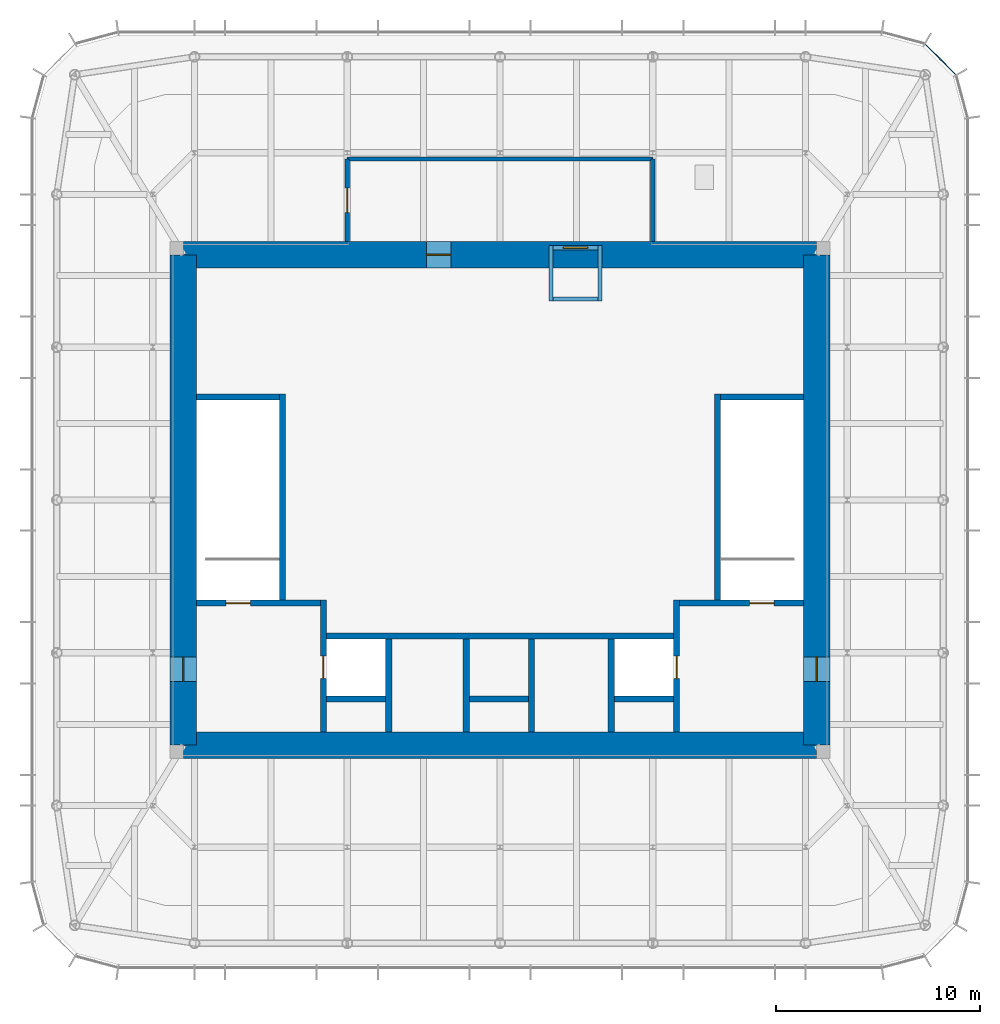
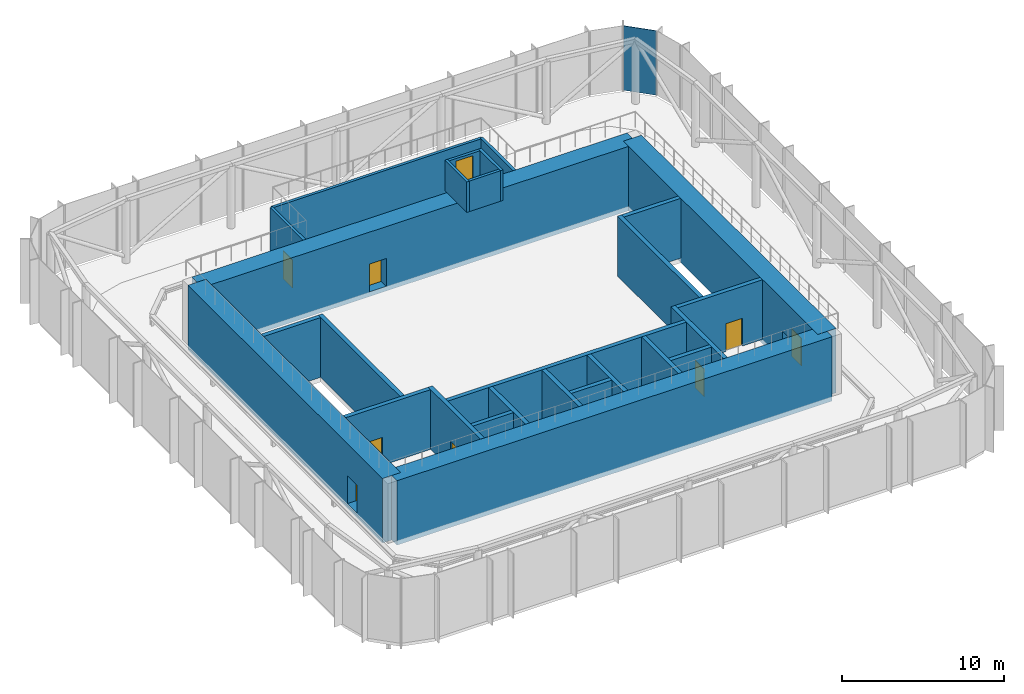
# One storey, part 11 of 12: 27 walls, 9 doors, 1 plate, 9 openings, 1 element without a shape of its own.
"""IFC4 building model written with IfcOpenShell, lengths in metres."""

from ifc_helpers import new_model, si_unit, direction, frame, frame_2d, origin, origin_2d, place, context, subcontext, project, spatial, rectangle, extrude, material, layer, layer_set, type_object, element, fill, aggregate, save


model = new_model("IFC4")

# Units and contexts
model_context = context("Model", 3, precision=1e-05, world=origin(), true_north=direction((0.0, 1.0)))
body_context = subcontext(model_context, "Body", "Model", "MODEL_VIEW")
ifc_project = project(units=[si_unit("LENGTHUNIT", "METRE"), si_unit("AREAUNIT", "SQUARE_METRE"), si_unit("VOLUMEUNIT", "CUBIC_METRE"), si_unit("PLANEANGLEUNIT", "RADIAN"), si_unit("MASSUNIT", "GRAM", prefix="KILO")], contexts=[model_context])

# Site, building, storey
site_placement = place(None, origin())
site = spatial("IfcSite", under=ifc_project, at=site_placement, CompositionType="ELEMENT")
building_placement = place(site_placement, origin())
building = spatial("IfcBuilding", under=site, at=building_placement, Name="Khuree Lantern Residences", CompositionType="ELEMENT")
storey_placement = place(building_placement, frame((0.0, 0.0, 363.25)))
storey = spatial("IfcBuildingStorey", under=building, at=storey_placement, Name="RF", CompositionType="ELEMENT", Elevation=363.25)

# Curtain wall, plate
ifc_material_1 = material(Name="Bronze anodised aluminium", Category="aluminium")
curtain_wall_type = type_object("IfcCurtainWallType", Name="CW-L LANTERN CROWN CURTAIN WALL", PredefinedType="USERDEFINED", material=ifc_material_1)
curtain_wall_placement = place(storey_placement, origin())
curtain_wall = element("IfcCurtainWall", 1, at=curtain_wall_placement, inside=storey, type_object=curtain_wall_type, Name="RF NORTH-EAST CORNER CURTAIN WALL", ObjectType="Lantern curtain wall", PredefinedType="USERDEFINED")
ifc_material_2 = material(Name="Bronze fritted laminated glass over an insulated spandrel back pan", Category="glass")
ifc_layer_1 = layer(ifc_material_2, 0.0400390625)
ifc_layer_set_1 = layer_set([ifc_layer_1], Name="LANTERN SHADOW BOX PANEL P8")
plate_type = type_object("IfcPlateType", Name="LANTERN SHADOW BOX PANEL P8", PredefinedType="CURTAIN_PANEL", material=ifc_layer_set_1)
plate_placement = place(storey_placement, frame((21.568603515625, 21.568603515625, 0.0), z_axis=(0.0, 0.0, 1.0), x_axis=(-0.707106781187, 0.707106781187, 0.0)))
plate = element("IfcPlate", 2, at=plate_placement, type_object=plate_type, Name="RF NORTH-EAST CORNER PANEL 16.1", PredefinedType="CURTAIN_PANEL", context=body_context, shape_type="SweptSolid", body=[
    extrude(rectangle(XDim=2.085693359375, YDim=0.0400390625, at=origin_2d()), origin(), (0.0, 0.0, 1.0), 4.85009765625),
])
aggregate(curtain_wall, [plate])

# Wall, opening, door
ifc_material_3 = material(Name="Dense concrete blockwork", Category="masonry")
ifc_layer_2 = layer(ifc_material_3, 0.300048828125)
ifc_layer_set_2 = layer_set([ifc_layer_2], Name="CORE PARTITION WALL CPW300 EI 120")
wall_type_1 = type_object("IfcWallType", Name="CORE PARTITION WALL CPW300 EI 120", PredefinedType="PARTITIONING", material=ifc_layer_set_2)
wall_1_placement = place(storey_placement, frame((-8.64990234375, -11.35009765625, 0.0), z_axis=(0.0, 0.0, 1.0), x_axis=(0.0, 1.0, 0.0)))
wall_1 = element("IfcWall", 3, at=wall_1_placement, inside=storey, type_object=wall_type_1, Name="RF CORE WALL FL1W", PredefinedType="PARTITIONING", context=body_context, shape_type="SweptSolid", body=[
    extrude(rectangle(XDim=6.4501953125, YDim=0.300048828125, at=frame_2d((3.22509765625, 0.0))), origin(), (0.0, 0.0, 1.0), 4.5),
])
opening_1_placement = place(wall_1_placement, frame((2.60009765625, 0.0, 0.0)))
opening_1 = element("IfcOpeningElement", 4, at=opening_1_placement, cuts=wall_1, Name="Opening RF-005", PredefinedType="OPENING", context=body_context, shape_type="SweptSolid", body=[
    extrude(rectangle(XDim=1.10009765625, YDim=2.10009765625, at=frame_2d((0.550048828125, 1.050048828125))), frame((0.0, 0.16015625, 0.0), z_axis=(0.0, -1.0, 0.0), x_axis=(1.0, 0.0, 0.0)), (0.0, 0.0, 1.0), 0.320068359375),
])
ifc_material_4 = material(Name="Stainless steel lift landing door", Category="steel")
door_type_1 = type_object("IfcDoorType", Name="LIFT LANDING DOOR 1100X2100 E 120", OperationType="DOUBLE_DOOR_SLIDING", PredefinedType="DOOR", material=ifc_material_4)
door_1_placement = place(opening_1_placement, origin())
door_1 = element("IfcDoor", 5, at=door_1_placement, inside=storey, type_object=door_type_1, Name="Landing door FL1 RF-005", OperationType="DOUBLE_DOOR_SLIDING", OverallHeight=2.10009765625, OverallWidth=1.10009765625, PredefinedType="DOOR", context=body_context, shape_type="SweptSolid", body=[
    extrude(rectangle(XDim=1.10009765625, YDim=2.10009765625, at=frame_2d((0.550048828125, 1.050048828125))), frame((0.0, 0.02490234375, 0.0), z_axis=(0.0, -1.0, 0.0), x_axis=(1.0, 0.0, 0.0)), (0.0, 0.0, 1.0), 0.050048828125),
])
fill(opening_1, door_1)

wall_2_placement = place(storey_placement, frame((8.64990234375, -11.35009765625, 0.0), z_axis=(0.0, 0.0, 1.0), x_axis=(0.0, 1.0, 0.0)))
wall_2 = element("IfcWall", 6, at=wall_2_placement, inside=storey, type_object=wall_type_1, Name="RF CORE WALL FL2E", PredefinedType="PARTITIONING", context=body_context, shape_type="SweptSolid", body=[
    extrude(rectangle(XDim=6.4501953125, YDim=0.300048828125, at=frame_2d((3.22509765625, 0.0))), origin(), (0.0, 0.0, 1.0), 4.5),
])
opening_2_placement = place(wall_2_placement, frame((2.60009765625, 0.0, 0.0)))
opening_2 = element("IfcOpeningElement", 7, at=opening_2_placement, cuts=wall_2, Name="Opening RF-006", PredefinedType="OPENING", context=body_context, shape_type="SweptSolid", body=[
    extrude(rectangle(XDim=1.10009765625, YDim=2.10009765625, at=frame_2d((0.550048828125, 1.050048828125))), frame((0.0, 0.16015625, 0.0), z_axis=(0.0, -1.0, 0.0), x_axis=(1.0, 0.0, 0.0)), (0.0, 0.0, 1.0), 0.320068359375),
])
door_2_placement = place(opening_2_placement, origin())
door_2 = element("IfcDoor", 8, at=door_2_placement, inside=storey, type_object=door_type_1, Name="Landing door FL2 RF-006", OperationType="DOUBLE_DOOR_SLIDING", OverallHeight=2.10009765625, OverallWidth=1.10009765625, PredefinedType="DOOR", context=body_context, shape_type="SweptSolid", body=[
    extrude(rectangle(XDim=1.10009765625, YDim=2.10009765625, at=frame_2d((0.550048828125, 1.050048828125))), frame((0.0, 0.02490234375, 0.0), z_axis=(0.0, -1.0, 0.0), x_axis=(1.0, 0.0, 0.0)), (0.0, 0.0, 1.0), 0.050048828125),
])
fill(opening_2, door_2)

# Walls
wall_3_placement = place(storey_placement, frame((-8.5, -6.64990234375, 0.0), z_axis=(0.0, 0.0, 1.0), x_axis=(1.0, 0.0, 0.0)))
element("IfcWall", 9, at=wall_3_placement, inside=storey, type_object=wall_type_1, Name="RF CORE WALL FLROW", PredefinedType="PARTITIONING", context=body_context, shape_type="SweptSolid", body=[
    extrude(rectangle(XDim=17.0, YDim=0.300048828125, at=frame_2d((8.5, 0.0))), origin(), (0.0, 0.0, 1.0), 4.5),
])
for number, where, z_axis, x_axis, name in (
    (10, (-5.449951171875, -11.35009765625, 0.0), (0.0, 0.0, 1.0), (0.0, 1.0, 0.0), "RF CORE WALL FL1E"),
    (11, (-1.64990234375, -11.35009765625, 0.0), (0.0, 0.0, 1.0), (0.0, 1.0, 0.0), "RF CORE WALL SL1W"),
    (12, (1.550048828125, -11.35009765625, 0.0), (0.0, 0.0, 1.0), (0.0, 1.0, 0.0), "RF CORE WALL SL1E"),
    (13, (5.449951171875, -11.35009765625, 0.0), (0.0, 0.0, 1.0), (0.0, 1.0, 0.0), "RF CORE WALL FL2W"),
):
    element("IfcWall", number, at=place(storey_placement, frame(where, z_axis=z_axis, x_axis=x_axis)), inside=storey, type_object=wall_type_1, Name=name, PredefinedType="PARTITIONING", context=body_context, shape_type="SweptSolid", body=[
        extrude(rectangle(XDim=4.550048828125, YDim=0.300048828125, at=frame_2d((2.27490234375, 0.0))), origin(), (0.0, 0.0, 1.0), 4.5),
    ])
for number, where, z_axis, x_axis, name in (
    (14, (-8.5, -9.75, 0.0), (0.0, 0.0, 1.0), (1.0, 0.0, 0.0), "RF CORE WALL FL1S"),
    (15, (-1.5, -9.75, 0.0), (0.0, 0.0, 1.0), (1.0, 0.0, 0.0), "RF CORE WALL SL1S"),
    (16, (5.60009765625, -9.75, 0.0), (0.0, 0.0, 1.0), (1.0, 0.0, 0.0), "RF CORE WALL FL2S"),
):
    element("IfcWall", number, at=place(storey_placement, frame(where, z_axis=z_axis, x_axis=x_axis)), inside=storey, type_object=wall_type_1, Name=name, PredefinedType="PARTITIONING", context=body_context, shape_type="SweptSolid", body=[
        extrude(rectangle(XDim=2.89990234375, YDim=0.300048828125, at=frame_2d((1.449951171875, 0.0))), origin(), (0.0, 0.0, 1.0), 4.5),
    ])

# Wall, opening, door
ifc_material_5 = material(Name="Concrete C50/60", Category="concrete")
ifc_layer_3 = layer(ifc_material_5, 1.300048828125)
ifc_layer_set_3 = layer_set([ifc_layer_3], Name="CW1300-C50 CORE WALL C50 1300")
wall_type_2 = type_object("IfcWallType", Name="CW1300-C50 CORE WALL C50 1300", PredefinedType="SHEAR", material=ifc_layer_set_3)
wall_4_placement = place(storey_placement, frame((15.5, -12.0, -0.35009765625), z_axis=(0.0, 0.0, 1.0), x_axis=(0.0, 1.0, 0.0)))
wall_4 = element("IfcWall", 17, at=wall_4_placement, inside=storey, type_object=wall_type_2, Name="Core wall E", PredefinedType="SHEAR", context=body_context, shape_type="SweptSolid", body=[
    extrude(rectangle(XDim=24.0, YDim=1.300048828125, at=frame_2d((12.0, 0.0))), origin(), (0.0, 0.0, 1.0), 4.85009765625),
])
opening_3_placement = place(wall_4_placement, frame((3.125, 0.0, 0.35009765625)))
opening_3 = element("IfcOpeningElement", 18, at=opening_3_placement, cuts=wall_4, Name="Opening RF-004", PredefinedType="OPENING", context=body_context, shape_type="SweptSolid", body=[
    extrude(rectangle(XDim=1.199951171875, YDim=2.10009765625, at=frame_2d((0.60009765625, 1.050048828125))), frame((0.0, 0.66015625, 0.0), z_axis=(0.0, -1.0, 0.0), x_axis=(1.0, 0.0, 0.0)), (0.0, 0.0, 1.0), 1.320068359375),
])
ifc_material_6 = material(Name="Steel door leaf in steel frame", Category="steel")
door_type_2 = type_object("IfcDoorType", Name="ROOF ACCESS DOOR 1200X2100 EI 120", OperationType="SINGLE_SWING_LEFT", PredefinedType="DOOR", material=ifc_material_6)
door_3_placement = place(opening_3_placement, origin())
door_3 = element("IfcDoor", 19, at=door_3_placement, inside=storey, type_object=door_type_2, Name="Roof access door RF-004", OperationType="SINGLE_SWING_LEFT", OverallHeight=2.10009765625, OverallWidth=1.199951171875, PredefinedType="DOOR", context=body_context, shape_type="SweptSolid", body=[
    extrude(rectangle(XDim=1.199951171875, YDim=2.10009765625, at=frame_2d((0.60009765625, 1.050048828125))), frame((0.0, 0.02490234375, 0.0), z_axis=(0.0, -1.0, 0.0), x_axis=(1.0, 0.0, 0.0)), (0.0, 0.0, 1.0), 0.050048828125),
])
fill(opening_3, door_3)

wall_5_placement = place(storey_placement, frame((-15.5, 12.0, -0.35009765625), z_axis=(0.0, 0.0, 1.0), x_axis=(1.0, 0.0, 0.0)))
wall_5 = element("IfcWall", 20, at=wall_5_placement, inside=storey, type_object=wall_type_2, Name="Core wall N", PredefinedType="SHEAR", context=body_context, shape_type="SweptSolid", body=[
    extrude(rectangle(XDim=31.0, YDim=1.300048828125, at=frame_2d((15.5, 0.0))), origin(), (0.0, 0.0, 1.0), 4.85009765625),
])
opening_4_placement = place(wall_5_placement, frame((11.89990234375, 0.0, 0.35009765625)))
opening_4 = element("IfcOpeningElement", 21, at=opening_4_placement, cuts=wall_5, Name="Opening RF-008", PredefinedType="OPENING", context=body_context, shape_type="SweptSolid", body=[
    extrude(rectangle(XDim=1.199951171875, YDim=2.10009765625, at=frame_2d((0.60009765625, 1.050048828125))), frame((0.0, 0.66015625, 0.0), z_axis=(0.0, -1.0, 0.0), x_axis=(1.0, 0.0, 0.0)), (0.0, 0.0, 1.0), 1.320068359375),
])
door_type_3 = type_object("IfcDoorType", Name="PLANT ROOM DOOR 1200X2100 EI 120", OperationType="SINGLE_SWING_LEFT", PredefinedType="DOOR", material=ifc_material_6)
door_4_placement = place(opening_4_placement, origin())
door_4 = element("IfcDoor", 22, at=door_4_placement, inside=storey, type_object=door_type_3, Name="Head-house door RF-008", OperationType="SINGLE_SWING_LEFT", OverallHeight=2.10009765625, OverallWidth=1.199951171875, PredefinedType="DOOR", context=body_context, shape_type="SweptSolid", body=[
    extrude(rectangle(XDim=1.199951171875, YDim=2.10009765625, at=frame_2d((0.60009765625, 1.050048828125))), frame((0.0, 0.02490234375, 0.0), z_axis=(0.0, -1.0, 0.0), x_axis=(1.0, 0.0, 0.0)), (0.0, 0.0, 1.0), 0.050048828125),
])
fill(opening_4, door_4)

# Wall
wall_6_placement = place(storey_placement, frame((-15.5, -12.0, -0.35009765625), z_axis=(0.0, 0.0, 1.0), x_axis=(1.0, 0.0, 0.0)))
element("IfcWall", 23, at=wall_6_placement, inside=storey, type_object=wall_type_2, Name="Core wall S", PredefinedType="SHEAR", context=body_context, shape_type="SweptSolid", body=[
    extrude(rectangle(XDim=31.0, YDim=1.300048828125, at=frame_2d((15.5, 0.0))), origin(), (0.0, 0.0, 1.0), 4.85009765625),
])

# Wall, opening, door
wall_7_placement = place(storey_placement, frame((-15.5, -12.0, -0.35009765625), z_axis=(0.0, 0.0, 1.0), x_axis=(0.0, 1.0, 0.0)))
wall_7 = element("IfcWall", 24, at=wall_7_placement, inside=storey, type_object=wall_type_2, Name="Core wall W", PredefinedType="SHEAR", context=body_context, shape_type="SweptSolid", body=[
    extrude(rectangle(XDim=24.0, YDim=1.300048828125, at=frame_2d((12.0, 0.0))), origin(), (0.0, 0.0, 1.0), 4.85009765625),
])
opening_5_placement = place(wall_7_placement, frame((3.125, 0.0, 0.35009765625)))
opening_5 = element("IfcOpeningElement", 25, at=opening_5_placement, cuts=wall_7, Name="Opening RF-002", PredefinedType="OPENING", context=body_context, shape_type="SweptSolid", body=[
    extrude(rectangle(XDim=1.199951171875, YDim=2.10009765625, at=frame_2d((0.60009765625, 1.050048828125))), frame((0.0, 0.66015625, 0.0), z_axis=(0.0, -1.0, 0.0), x_axis=(1.0, 0.0, 0.0)), (0.0, 0.0, 1.0), 1.320068359375),
])
door_5_placement = place(opening_5_placement, origin())
door_5 = element("IfcDoor", 26, at=door_5_placement, inside=storey, type_object=door_type_2, Name="Roof access door RF-002", OperationType="SINGLE_SWING_LEFT", OverallHeight=2.10009765625, OverallWidth=1.199951171875, PredefinedType="DOOR", context=body_context, shape_type="SweptSolid", body=[
    extrude(rectangle(XDim=1.199951171875, YDim=2.10009765625, at=frame_2d((0.60009765625, 1.050048828125))), frame((0.0, 0.02490234375, 0.0), z_axis=(0.0, -1.0, 0.0), x_axis=(1.0, 0.0, 0.0)), (0.0, 0.0, 1.0), 0.050048828125),
])
fill(opening_5, door_5)

# Walls
ifc_layer_4 = layer(ifc_material_3, 0.199951171875)
ifc_layer_set_4 = layer_set([ifc_layer_4], Name="FIRE-RATED ROOM WALL FRW200 EI 120")
wall_type_3 = type_object("IfcWallType", Name="FIRE-RATED ROOM WALL FRW200 EI 120", PredefinedType="SOLIDWALL", material=ifc_layer_set_4)
wall_8_placement = place(storey_placement, frame((7.47998046875, 16.699951171875, 0.0), z_axis=(0.0, 0.0, 1.0), x_axis=(-1.0, 0.0, 0.0)))
element("IfcWall", 27, at=wall_8_placement, inside=storey, type_object=wall_type_3, Name="RF ROOF PLANT ROOM WALL N", PredefinedType="SOLIDWALL", context=body_context, shape_type="SweptSolid", body=[
    extrude(rectangle(XDim=14.9599609375, YDim=0.199951171875, at=frame_2d((7.47998046875, 0.0))), origin(), (0.0, 0.0, 1.0), 4.5),
])
ifc_material_7 = material(Name="Concrete C40/50", Category="concrete")
ifc_layer_5 = layer(ifc_material_7, 0.199951171875)
ifc_layer_set_5 = layer_set([ifc_layer_5], Name="LBW200 PLANT ROOM LOAD-BEARING WALL")
wall_type_4 = type_object("IfcWallType", Name="LBW200 PLANT ROOM LOAD-BEARING WALL", PredefinedType="SOLIDWALL", material=ifc_layer_set_5)
for number, where, z_axis, x_axis, name in (
    (28, (4.89990234375, 9.75, 4.85009765625), (0.0, 0.0, 1.0), (0.0, 1.0, 0.0), "Roof access room wall E"),
    (29, (2.5, 12.449951171875, 4.85009765625), (0.0, 0.0, 1.0), (0.0, -1.0, 0.0), "Roof access room wall W"),
):
    element("IfcWall", number, at=place(storey_placement, frame(where, z_axis=z_axis, x_axis=x_axis)), inside=storey, type_object=wall_type_4, Name=name, PredefinedType="SOLIDWALL", context=body_context, shape_type="SweptSolid", body=[
        extrude(rectangle(XDim=2.699951171875, YDim=0.199951171875, at=frame_2d((1.35009765625, 0.0))), origin(), (0.0, 0.0, 1.0), 2.2998046875),
    ])
wall_9_placement = place(storey_placement, frame((2.60009765625, 9.85009765625, 4.85009765625), z_axis=(0.0, 0.0, 1.0), x_axis=(1.0, 0.0, 0.0)))
element("IfcWall", 30, at=wall_9_placement, inside=storey, type_object=wall_type_4, Name="Roof access room wall S", PredefinedType="SOLIDWALL", context=body_context, shape_type="SweptSolid", body=[
    extrude(rectangle(XDim=2.199951171875, YDim=0.199951171875, at=frame_2d((1.10009765625, 0.0))), origin(), (0.0, 0.0, 1.0), 2.2998046875),
])

# Wall, opening, door
wall_10_placement = place(storey_placement, frame((2.60009765625, 12.35009765625, 4.85009765625), z_axis=(0.0, 0.0, 1.0), x_axis=(1.0, 0.0, 0.0)))
wall_10 = element("IfcWall", 31, at=wall_10_placement, inside=storey, type_object=wall_type_4, Name="Roof access room wall N", PredefinedType="SOLIDWALL", context=body_context, shape_type="SweptSolid", body=[
    extrude(rectangle(XDim=2.199951171875, YDim=0.199951171875, at=frame_2d((1.10009765625, 0.0))), origin(), (0.0, 0.0, 1.0), 2.2998046875),
])
opening_6_placement = place(wall_10_placement, frame((0.5, 0.0, 0.0)))
opening_6 = element("IfcOpeningElement", 32, at=opening_6_placement, cuts=wall_10, Name="Opening RF-R01", PredefinedType="OPENING", context=body_context, shape_type="SweptSolid", body=[
    extrude(rectangle(XDim=1.199951171875, YDim=2.10009765625, at=frame_2d((0.60009765625, 1.050048828125))), frame((0.0, 0.10986328125, 0.0), z_axis=(0.0, -1.0, 0.0), x_axis=(1.0, 0.0, 0.0)), (0.0, 0.0, 1.0), 0.219970703125),
])
door_type_4 = type_object("IfcDoorType", Name="PLANT ROOM ROOF DOOR 1200X2100 EI 120", OperationType="SINGLE_SWING_LEFT", PredefinedType="DOOR", material=ifc_material_6)
door_6_placement = place(opening_6_placement, origin())
door_6 = element("IfcDoor", 33, at=door_6_placement, inside=storey, type_object=door_type_4, Name="Roof access door RF-R01", OperationType="SINGLE_SWING_LEFT", OverallHeight=2.10009765625, OverallWidth=1.199951171875, PredefinedType="DOOR", context=body_context, shape_type="SweptSolid", body=[
    extrude(rectangle(XDim=1.199951171875, YDim=2.10009765625, at=frame_2d((0.60009765625, 1.050048828125))), frame((0.0, 0.02490234375, 0.0), z_axis=(0.0, -1.0, 0.0), x_axis=(1.0, 0.0, 0.0)), (0.0, 0.0, 1.0), 0.050048828125),
])
fill(opening_6, door_6)

# Wall
wall_11_placement = place(storey_placement, frame((7.47998046875, 12.64990234375, 0.0), z_axis=(0.0, 0.0, 1.0), x_axis=(0.0, 1.0, 0.0)))
element("IfcWall", 34, at=wall_11_placement, inside=storey, type_object=wall_type_4, Name="RF ROOF PLANT ROOM WALL E", PredefinedType="SOLIDWALL", context=body_context, shape_type="SweptSolid", body=[
    extrude(rectangle(XDim=4.050048828125, YDim=0.199951171875, at=frame_2d((2.02490234375, 0.0))), origin(), (0.0, 0.0, 1.0), 4.5),
])

# Wall, opening, door
wall_12_placement = place(storey_placement, frame((-7.47998046875, 16.699951171875, 0.0), z_axis=(0.0, 0.0, 1.0), x_axis=(0.0, -1.0, 0.0)))
wall_12 = element("IfcWall", 35, at=wall_12_placement, inside=storey, type_object=wall_type_4, Name="RF ROOF PLANT ROOM WALL W", PredefinedType="SOLIDWALL", context=body_context, shape_type="SweptSolid", body=[
    extrude(rectangle(XDim=4.050048828125, YDim=0.199951171875, at=frame_2d((2.02490234375, 0.0))), origin(), (0.0, 0.0, 1.0), 4.5),
])
opening_7_placement = place(wall_12_placement, frame((1.425048828125, 0.0, 0.0)))
opening_7 = element("IfcOpeningElement", 36, at=opening_7_placement, cuts=wall_12, Name="Opening RF-007", PredefinedType="OPENING", context=body_context, shape_type="SweptSolid", body=[
    extrude(rectangle(XDim=1.199951171875, YDim=2.10009765625, at=frame_2d((0.60009765625, 1.050048828125))), frame((0.0, 0.10986328125, 0.0), z_axis=(0.0, -1.0, 0.0), x_axis=(1.0, 0.0, 0.0)), (0.0, 0.0, 1.0), 0.219970703125),
])
door_7_placement = place(opening_7_placement, origin())
door_7 = element("IfcDoor", 37, at=door_7_placement, inside=storey, type_object=door_type_2, Name="Roof access door RF-007", OperationType="SINGLE_SWING_LEFT", OverallHeight=2.10009765625, OverallWidth=1.199951171875, PredefinedType="DOOR", context=body_context, shape_type="SweptSolid", body=[
    extrude(rectangle(XDim=1.199951171875, YDim=2.10009765625, at=frame_2d((0.60009765625, 1.050048828125))), frame((0.0, 0.02490234375, 0.0), z_axis=(0.0, -1.0, 0.0), x_axis=(1.0, 0.0, 0.0)), (0.0, 0.0, 1.0), 0.050048828125),
])
fill(opening_7, door_7)

# Wall
ifc_layer_6 = layer(ifc_material_5, 0.300048828125)
ifc_layer_set_6 = layer_set([ifc_layer_6], Name="STAIR WALL SRW300 C50/60 REI 240")
wall_type_5 = type_object("IfcWallType", Name="STAIR WALL SRW300 C50/60 REI 240", PredefinedType="SOLIDWALL", material=ifc_layer_set_6)
wall_13_placement = place(storey_placement, frame((-10.64990234375, -4.89990234375, 0.0), z_axis=(0.0, 0.0, 1.0), x_axis=(0.0, 1.0, 0.0)))
element("IfcWall", 38, at=wall_13_placement, inside=storey, type_object=wall_type_5, Name="RF STAIR WALL ST1E", PredefinedType="SOLIDWALL", context=body_context, shape_type="SweptSolid", body=[
    extrude(rectangle(XDim=10.099853515625, YDim=0.300048828125, at=frame_2d((5.0498046875, 0.0))), origin(), (0.0, 0.0, 1.0), 4.5),
])

# Wall, opening, door
wall_14_placement = place(storey_placement, frame((-14.85009765625, -5.050048828125, 0.0), z_axis=(0.0, 0.0, 1.0), x_axis=(1.0, 0.0, 0.0)))
wall_14 = element("IfcWall", 39, at=wall_14_placement, inside=storey, type_object=wall_type_5, Name="RF STAIR WALL ST1S", PredefinedType="SOLIDWALL", context=body_context, shape_type="SweptSolid", body=[
    extrude(rectangle(XDim=6.050048828125, YDim=0.300048828125, at=frame_2d((3.02490234375, 0.0))), origin(), (0.0, 0.0, 1.0), 4.5),
])
opening_8_placement = place(wall_14_placement, frame((1.425048828125, 0.0, 0.0)))
opening_8 = element("IfcOpeningElement", 40, at=opening_8_placement, cuts=wall_14, Name="Opening RF-001", PredefinedType="OPENING", context=body_context, shape_type="SweptSolid", body=[
    extrude(rectangle(XDim=1.199951171875, YDim=2.10009765625, at=frame_2d((0.60009765625, 1.050048828125))), frame((0.0, 0.16015625, 0.0), z_axis=(0.0, -1.0, 0.0), x_axis=(1.0, 0.0, 0.0)), (0.0, 0.0, 1.0), 0.320068359375),
])
door_type_5 = type_object("IfcDoorType", Name="STAIR DOOR 1200X2100 EI 120", OperationType="SINGLE_SWING_LEFT", PredefinedType="DOOR", material=ifc_material_6)
door_8_placement = place(opening_8_placement, origin())
door_8 = element("IfcDoor", 41, at=door_8_placement, inside=storey, type_object=door_type_5, Name="Stair ST1 door RF-001", OperationType="SINGLE_SWING_LEFT", OverallHeight=2.10009765625, OverallWidth=1.199951171875, PredefinedType="DOOR", context=body_context, shape_type="SweptSolid", body=[
    extrude(rectangle(XDim=1.199951171875, YDim=2.10009765625, at=frame_2d((0.60009765625, 1.050048828125))), frame((0.0, 0.02490234375, 0.0), z_axis=(0.0, -1.0, 0.0), x_axis=(1.0, 0.0, 0.0)), (0.0, 0.0, 1.0), 0.050048828125),
])
fill(opening_8, door_8)

# Walls
wall_15_placement = place(storey_placement, frame((-14.85009765625, 5.050048828125, 0.0), z_axis=(0.0, 0.0, 1.0), x_axis=(1.0, 0.0, 0.0)))
element("IfcWall", 42, at=wall_15_placement, inside=storey, type_object=wall_type_5, Name="RF STAIR WALL ST1N", PredefinedType="SOLIDWALL", context=body_context, shape_type="SweptSolid", body=[
    extrude(rectangle(XDim=4.050048828125, YDim=0.300048828125, at=frame_2d((2.02490234375, 0.0))), origin(), (0.0, 0.0, 1.0), 4.5),
])
wall_16_placement = place(storey_placement, frame((10.64990234375, -4.89990234375, 0.0), z_axis=(0.0, 0.0, 1.0), x_axis=(0.0, 1.0, 0.0)))
element("IfcWall", 43, at=wall_16_placement, inside=storey, type_object=wall_type_5, Name="RF STAIR WALL ST2E", PredefinedType="SOLIDWALL", context=body_context, shape_type="SweptSolid", body=[
    extrude(rectangle(XDim=10.099853515625, YDim=0.300048828125, at=frame_2d((5.0498046875, 0.0))), origin(), (0.0, 0.0, 1.0), 4.5),
])

# Wall, opening, door
wall_17_placement = place(storey_placement, frame((14.85009765625, -5.050048828125, 0.0), z_axis=(0.0, 0.0, 1.0), x_axis=(-1.0, 0.0, 0.0)))
wall_17 = element("IfcWall", 44, at=wall_17_placement, inside=storey, type_object=wall_type_5, Name="RF STAIR WALL ST2S", PredefinedType="SOLIDWALL", context=body_context, shape_type="SweptSolid", body=[
    extrude(rectangle(XDim=6.050048828125, YDim=0.300048828125, at=frame_2d((3.02490234375, 0.0))), origin(), (0.0, 0.0, 1.0), 4.5),
])
opening_9_placement = place(wall_17_placement, frame((1.425048828125, 0.0, 0.0)))
opening_9 = element("IfcOpeningElement", 45, at=opening_9_placement, cuts=wall_17, Name="Opening RF-003", PredefinedType="OPENING", context=body_context, shape_type="SweptSolid", body=[
    extrude(rectangle(XDim=1.199951171875, YDim=2.10009765625, at=frame_2d((0.60009765625, 1.050048828125))), frame((0.0, 0.16015625, 0.0), z_axis=(0.0, -1.0, 0.0), x_axis=(1.0, 0.0, 0.0)), (0.0, 0.0, 1.0), 0.320068359375),
])
door_9_placement = place(opening_9_placement, origin())
door_9 = element("IfcDoor", 46, at=door_9_placement, inside=storey, type_object=door_type_5, Name="Stair ST2 door RF-003", OperationType="SINGLE_SWING_LEFT", OverallHeight=2.10009765625, OverallWidth=1.199951171875, PredefinedType="DOOR", context=body_context, shape_type="SweptSolid", body=[
    extrude(rectangle(XDim=1.199951171875, YDim=2.10009765625, at=frame_2d((0.60009765625, 1.050048828125))), frame((0.0, 0.02490234375, 0.0), z_axis=(0.0, -1.0, 0.0), x_axis=(1.0, 0.0, 0.0)), (0.0, 0.0, 1.0), 0.050048828125),
])
fill(opening_9, door_9)

# Wall
wall_18_placement = place(storey_placement, frame((14.85009765625, 5.050048828125, 0.0), z_axis=(0.0, 0.0, 1.0), x_axis=(-1.0, 0.0, 0.0)))
element("IfcWall", 47, at=wall_18_placement, inside=storey, type_object=wall_type_5, Name="RF STAIR WALL ST2N", PredefinedType="SOLIDWALL", context=body_context, shape_type="SweptSolid", body=[
    extrude(rectangle(XDim=4.050048828125, YDim=0.300048828125, at=frame_2d((2.02490234375, 0.0))), origin(), (0.0, 0.0, 1.0), 4.5),
])

save(model, "model.ifc")
